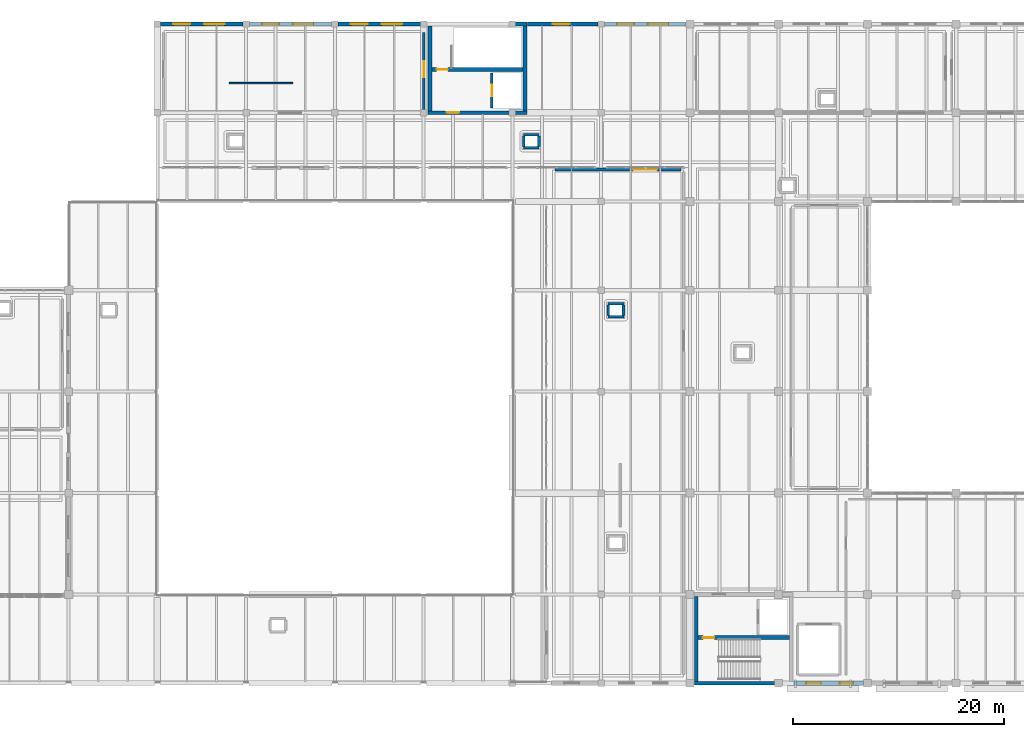
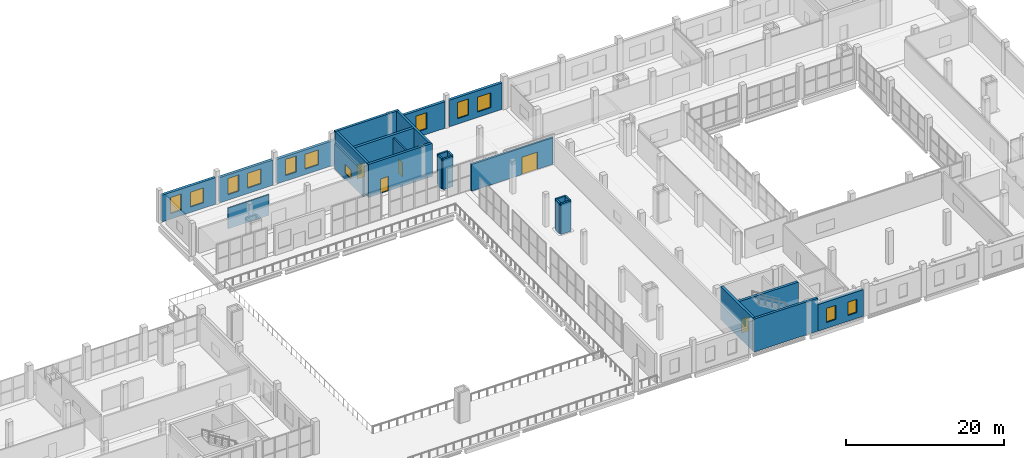
# One storey, part 61 of 77: 26 walls, 12 windows, 5 doors, 17 openings.
"""IFC4 building model written with IfcOpenShell, lengths in metres."""

from ifc_helpers import new_model, si_unit, direction, frame, frame_2d, origin, place, context, subcontext, project, spatial, rectangle, extrude, material, layer, layer_set, type_object, element, fill, save


model = new_model("IFC4")

# Units and contexts
model_context = context("Model", 3, precision=1e-05, world=origin(), true_north=direction((0.0, 1.0)))
body_context = subcontext(model_context, "Body", "Model", "MODEL_VIEW")
ifc_project = project(units=[si_unit("LENGTHUNIT", "METRE"), si_unit("AREAUNIT", "SQUARE_METRE"), si_unit("VOLUMEUNIT", "CUBIC_METRE"), si_unit("PLANEANGLEUNIT", "RADIAN"), si_unit("MASSUNIT", "GRAM", prefix="KILO")], contexts=[model_context])

# Site, building, storey
site_placement = place(None, origin())
site = spatial("IfcSite", under=ifc_project, at=site_placement, CompositionType="ELEMENT")
building_placement = place(site_placement, origin())
building = spatial("IfcBuilding", under=site, at=building_placement, Name="Zulmaris Art Gallery", CompositionType="ELEMENT")
storey_placement = place(building_placement, frame((0.0, 0.0, 15.60009765625)))
storey = spatial("IfcBuildingStorey", under=building, at=storey_placement, Name="L03", CompositionType="ELEMENT", Elevation=15.60009765625)

# Wall, openings, windows
ifc_material_1 = material(Name="Omani Cream Limestone Ashlar Masonry", Category="masonry")
ifc_layer_1 = layer(ifc_material_1, 0.43994140625)
ifc_layer_set_1 = layer_set([ifc_layer_1], Name="Omani Cream Limestone Ashlar Masonry")
wall_type_1 = type_object("IfcWallType", Name="ENV-WALL-EW01", PredefinedType="SOLIDWALL", material=ifc_layer_set_1)
wall_1_placement = place(storey_placement, frame((151.412109375, 13.199951171875, 0.0), z_axis=(0.0, 0.0, 1.0), x_axis=(1.0, 0.0, 0.0)))
wall_1 = element("IfcWall", 1, at=wall_1_placement, inside=storey, type_object=wall_type_1, Name="L03 V5 South Facade Bay 1", PredefinedType="SOLIDWALL", context=body_context, shape_type="SweptSolid", body=[
    extrude(rectangle(XDim=6.61083984375, YDim=0.43994140625, at=frame_2d((3.305419921875, 0.0))), origin(), (0.0, 0.0, 1.0), 4.10986328125),
])
opening_1_placement = place(wall_1_placement, frame((1.18798828125, 0.0, 0.89990234375)))
opening_1 = element("IfcOpeningElement", 2, at=opening_1_placement, cuts=wall_1, Name="Opening W04", PredefinedType="OPENING", context=body_context, shape_type="SweptSolid", body=[
    extrude(rectangle(XDim=1.39990234375, YDim=2.199951171875, at=frame_2d((0.699951171875, 1.10009765625))), frame((0.0, 0.22998046875, 0.0), z_axis=(0.0, -1.0, 0.0), x_axis=(1.0, 0.0, 0.0)), (0.0, 0.0, 1.0), 0.4599609375),
])
opening_2_placement = place(wall_1_placement, frame((4.387939453125, 0.0, 0.89990234375)))
opening_2 = element("IfcOpeningElement", 3, at=opening_2_placement, cuts=wall_1, Name="Opening W10", PredefinedType="OPENING", context=body_context, shape_type="SweptSolid", body=[
    extrude(rectangle(XDim=1.25, YDim=2.050048828125, at=frame_2d((0.625, 1.02490234375))), frame((0.0, 0.22998046875, 0.0), z_axis=(0.0, -1.0, 0.0), x_axis=(1.0, 0.0, 0.0)), (0.0, 0.0, 1.0), 0.4599609375),
])
ifc_material_2 = material(Name="Deep-Reveal Limestone Slot Window", Category="masonry")
window_type_1 = type_object("IfcWindowType", Name="WIN-W04", PartitioningType="SINGLE_PANEL", PredefinedType="WINDOW", material=ifc_material_2)
window_1_placement = place(opening_1_placement, origin())
window_1 = element("IfcWindow", 4, at=window_1_placement, inside=storey, type_object=window_type_1, Name="L03 exterior window W04", OverallHeight=2.199951171875, OverallWidth=1.39990234375, PartitioningType="SINGLE_PANEL", PredefinedType="WINDOW", context=body_context, shape_type="SweptSolid", body=[
    extrude(rectangle(XDim=1.39990234375, YDim=2.199951171875, at=frame_2d((0.699951171875, 1.10009765625))), frame((0.0, 0.030029296875, 0.0), z_axis=(0.0, -1.0, 0.0), x_axis=(1.0, 0.0, 0.0)), (0.0, 0.0, 1.0), 0.06005859375),
])
fill(opening_1, window_1)
ifc_material_3 = material(Name="Limestone Deep-Set Lancet Window", Category="masonry")
window_type_2 = type_object("IfcWindowType", Name="WIN-W10", PartitioningType="SINGLE_PANEL", PredefinedType="WINDOW", material=ifc_material_3)
window_2_placement = place(opening_2_placement, origin())
window_2 = element("IfcWindow", 5, at=window_2_placement, inside=storey, type_object=window_type_2, Name="L03 exterior window W10", OverallHeight=2.050048828125, OverallWidth=1.25, PartitioningType="SINGLE_PANEL", PredefinedType="WINDOW", context=body_context, shape_type="SweptSolid", body=[
    extrude(rectangle(XDim=1.25, YDim=2.050048828125, at=frame_2d((0.625, 1.02490234375))), frame((0.0, 0.030029296875, 0.0), z_axis=(0.0, -1.0, 0.0), x_axis=(1.0, 0.0, 0.0)), (0.0, 0.0, 1.0), 0.06005859375),
])
fill(opening_2, window_2)

ifc_material_4 = material(Name="Omani Desert Rose Limestone Cladding Wall", Category="masonry")
ifc_layer_2 = layer(ifc_material_4, 0.389892578125)
ifc_layer_set_2 = layer_set([ifc_layer_2], Name="Omani Desert Rose Limestone Cladding Wall")
wall_type_2 = type_object("IfcWallType", Name="ENV-WALL-EW02", PredefinedType="SOLIDWALL", material=ifc_layer_set_2)
wall_2_placement = place(storey_placement, frame((91.501953125, 75.60009765625, 0.0), z_axis=(0.0, 0.0, 1.0), x_axis=(1.0, 0.0, 0.0)))
wall_2 = element("IfcWall", 6, at=wall_2_placement, inside=storey, type_object=wall_type_2, Name="L03 V4 North Alley Limestone Facade (91.2..99.6)", PredefinedType="SOLIDWALL", context=body_context, shape_type="SweptSolid", body=[
    extrude(rectangle(XDim=7.796142578125, YDim=0.389892578125, at=frame_2d((3.89794921875, 0.0))), origin(), (0.0, 0.0, 1.0), 4.10986328125),
])
opening_3_placement = place(wall_2_placement, frame((1.218017578125, 0.0, 0.85009765625)))
opening_3 = element("IfcOpeningElement", 7, at=opening_3_placement, cuts=wall_2, Name="Opening W01", PredefinedType="OPENING", context=body_context, shape_type="SweptSolid", body=[
    extrude(rectangle(XDim=1.60009765625, YDim=2.5, at=frame_2d((0.800048828125, 1.25))), frame((0.0, 0.204833984375, 0.0), z_axis=(0.0, -1.0, 0.0), x_axis=(1.0, 0.0, 0.0)), (0.0, 0.0, 1.0), 0.409912109375),
])
opening_4_placement = place(wall_2_placement, frame((4.117919921875, 0.0, 0.85009765625)))
opening_4 = element("IfcOpeningElement", 8, at=opening_4_placement, cuts=wall_2, Name="Opening W08", PredefinedType="OPENING", context=body_context, shape_type="SweptSolid", body=[
    extrude(rectangle(XDim=1.949951171875, YDim=2.300048828125, at=frame_2d((0.97509765625, 1.14990234375))), frame((0.0, 0.204833984375, 0.0), z_axis=(0.0, -1.0, 0.0), x_axis=(1.0, 0.0, 0.0)), (0.0, 0.0, 1.0), 0.409912109375),
])
ifc_material_5 = material(Name="Double-Glazed Solar-Control Low-E Window", Category="glass")
window_type_3 = type_object("IfcWindowType", Name="WIN-W01", PartitioningType="SINGLE_PANEL", PredefinedType="WINDOW", material=ifc_material_5)
window_3_placement = place(opening_3_placement, origin())
window_3 = element("IfcWindow", 9, at=window_3_placement, inside=storey, type_object=window_type_3, Name="L03 exterior window W01", OverallHeight=2.5, OverallWidth=1.60009765625, PartitioningType="SINGLE_PANEL", PredefinedType="WINDOW", context=body_context, shape_type="SweptSolid", body=[
    extrude(rectangle(XDim=1.60009765625, YDim=2.5, at=frame_2d((0.800048828125, 1.25))), frame((0.0, 0.030029296875, 0.0), z_axis=(0.0, -1.0, 0.0), x_axis=(1.0, 0.0, 0.0)), (0.0, 0.0, 1.0), 0.06005859375),
])
fill(opening_3, window_3)
ifc_material_6 = material(Name="Curatorial North Studio Window", Category="glass")
window_type_4 = type_object("IfcWindowType", Name="WIN-W08", PartitioningType="SINGLE_PANEL", PredefinedType="WINDOW", material=ifc_material_6)
window_4_placement = place(opening_4_placement, origin())
window_4 = element("IfcWindow", 10, at=window_4_placement, inside=storey, type_object=window_type_4, Name="L03 exterior window W08", OverallHeight=2.300048828125, OverallWidth=1.949951171875, PartitioningType="SINGLE_PANEL", PredefinedType="WINDOW", context=body_context, shape_type="SweptSolid", body=[
    extrude(rectangle(XDim=1.949951171875, YDim=2.300048828125, at=frame_2d((0.97509765625, 1.14990234375))), frame((0.0, 0.030029296875, 0.0), z_axis=(0.0, -1.0, 0.0), x_axis=(1.0, 0.0, 0.0)), (0.0, 0.0, 1.0), 0.06005859375),
])
fill(opening_4, window_4)

wall_3_placement = place(storey_placement, frame((99.902099609375, 75.60009765625, 0.0), z_axis=(0.0, 0.0, 1.0), x_axis=(1.0, 0.0, 0.0)))
wall_3 = element("IfcWall", 11, at=wall_3_placement, inside=storey, type_object=wall_type_2, Name="L03 V4 North Alley Limestone Facade (99.6..108.0)", PredefinedType="SOLIDWALL", context=body_context, shape_type="SweptSolid", body=[
    extrude(rectangle(XDim=7.7958984375, YDim=0.389892578125, at=frame_2d((3.89794921875, 0.0))), origin(), (0.0, 0.0, 1.0), 3.909912109375),
])
opening_5_placement = place(wall_3_placement, frame((1.218017578125, 0.0, 0.85009765625)))
opening_5 = element("IfcOpeningElement", 12, at=opening_5_placement, cuts=wall_3, Name="Opening W01", PredefinedType="OPENING", context=body_context, shape_type="SweptSolid", body=[
    extrude(rectangle(XDim=1.60009765625, YDim=2.5, at=frame_2d((0.800048828125, 1.25))), frame((0.0, 0.204833984375, 0.0), z_axis=(0.0, -1.0, 0.0), x_axis=(1.0, 0.0, 0.0)), (0.0, 0.0, 1.0), 0.409912109375),
])
opening_6_placement = place(wall_3_placement, frame((4.117919921875, 0.0, 0.85009765625)))
opening_6 = element("IfcOpeningElement", 13, at=opening_6_placement, cuts=wall_3, Name="Opening W08", PredefinedType="OPENING", context=body_context, shape_type="SweptSolid", body=[
    extrude(rectangle(XDim=1.949951171875, YDim=2.300048828125, at=frame_2d((0.97509765625, 1.14990234375))), frame((0.0, 0.204833984375, 0.0), z_axis=(0.0, -1.0, 0.0), x_axis=(1.0, 0.0, 0.0)), (0.0, 0.0, 1.0), 0.409912109375),
])
window_5_placement = place(opening_5_placement, origin())
window_5 = element("IfcWindow", 14, at=window_5_placement, inside=storey, type_object=window_type_3, Name="L03 exterior window W01", OverallHeight=2.5, OverallWidth=1.60009765625, PartitioningType="SINGLE_PANEL", PredefinedType="WINDOW", context=body_context, shape_type="SweptSolid", body=[
    extrude(rectangle(XDim=1.60009765625, YDim=2.5, at=frame_2d((0.800048828125, 1.25))), frame((0.0, 0.030029296875, 0.0), z_axis=(0.0, -1.0, 0.0), x_axis=(1.0, 0.0, 0.0)), (0.0, 0.0, 1.0), 0.06005859375),
])
fill(opening_5, window_5)
window_6_placement = place(opening_6_placement, origin())
window_6 = element("IfcWindow", 15, at=window_6_placement, inside=storey, type_object=window_type_4, Name="L03 exterior window W08", OverallHeight=2.300048828125, OverallWidth=1.949951171875, PartitioningType="SINGLE_PANEL", PredefinedType="WINDOW", context=body_context, shape_type="SweptSolid", body=[
    extrude(rectangle(XDim=1.949951171875, YDim=2.300048828125, at=frame_2d((0.97509765625, 1.14990234375))), frame((0.0, 0.030029296875, 0.0), z_axis=(0.0, -1.0, 0.0), x_axis=(1.0, 0.0, 0.0)), (0.0, 0.0, 1.0), 0.06005859375),
])
fill(opening_6, window_6)

wall_4_placement = place(storey_placement, frame((108.302001953125, 75.60009765625, 0.0), z_axis=(0.0, 0.0, 1.0), x_axis=(1.0, 0.0, 0.0)))
wall_4 = element("IfcWall", 16, at=wall_4_placement, inside=storey, type_object=wall_type_2, Name="L03 V4 North Alley Limestone Facade (108.0..116.8)", PredefinedType="SOLIDWALL", context=body_context, shape_type="SweptSolid", body=[
    extrude(rectangle(XDim=8.486083984375, YDim=0.389892578125, at=frame_2d((4.2431640625, 0.0))), origin(), (0.0, 0.0, 1.0), 3.809814453125),
])
opening_7_placement = place(wall_4_placement, frame((1.218017578125, 0.0, 0.85009765625)))
opening_7 = element("IfcOpeningElement", 17, at=opening_7_placement, cuts=wall_4, Name="Opening W01", PredefinedType="OPENING", context=body_context, shape_type="SweptSolid", body=[
    extrude(rectangle(XDim=1.60009765625, YDim=2.5, at=frame_2d((0.800048828125, 1.25))), frame((0.0, 0.204833984375, 0.0), z_axis=(0.0, -1.0, 0.0), x_axis=(1.0, 0.0, 0.0)), (0.0, 0.0, 1.0), 0.409912109375),
])
opening_8_placement = place(wall_4_placement, frame((4.117919921875, 0.0, 0.85009765625)))
opening_8 = element("IfcOpeningElement", 18, at=opening_8_placement, cuts=wall_4, Name="Opening W08", PredefinedType="OPENING", context=body_context, shape_type="SweptSolid", body=[
    extrude(rectangle(XDim=1.949951171875, YDim=2.300048828125, at=frame_2d((0.97509765625, 1.14990234375))), frame((0.0, 0.204833984375, 0.0), z_axis=(0.0, -1.0, 0.0), x_axis=(1.0, 0.0, 0.0)), (0.0, 0.0, 1.0), 0.409912109375),
])
window_7_placement = place(opening_7_placement, origin())
window_7 = element("IfcWindow", 19, at=window_7_placement, inside=storey, type_object=window_type_3, Name="L03 exterior window W01", OverallHeight=2.5, OverallWidth=1.60009765625, PartitioningType="SINGLE_PANEL", PredefinedType="WINDOW", context=body_context, shape_type="SweptSolid", body=[
    extrude(rectangle(XDim=1.60009765625, YDim=2.5, at=frame_2d((0.800048828125, 1.25))), frame((0.0, 0.030029296875, 0.0), z_axis=(0.0, -1.0, 0.0), x_axis=(1.0, 0.0, 0.0)), (0.0, 0.0, 1.0), 0.06005859375),
])
fill(opening_7, window_7)
window_8_placement = place(opening_8_placement, origin())
window_8 = element("IfcWindow", 20, at=window_8_placement, inside=storey, type_object=window_type_4, Name="L03 exterior window W08", OverallHeight=2.300048828125, OverallWidth=1.949951171875, PartitioningType="SINGLE_PANEL", PredefinedType="WINDOW", context=body_context, shape_type="SweptSolid", body=[
    extrude(rectangle(XDim=1.949951171875, YDim=2.300048828125, at=frame_2d((0.97509765625, 1.14990234375))), frame((0.0, 0.030029296875, 0.0), z_axis=(0.0, -1.0, 0.0), x_axis=(1.0, 0.0, 0.0)), (0.0, 0.0, 1.0), 0.06005859375),
])
fill(opening_8, window_8)

# Wall, opening, window
wall_5_placement = place(storey_placement, frame((126.2119140625, 75.60009765625, 0.0), z_axis=(0.0, 0.0, 1.0), x_axis=(1.0, 0.0, 0.0)))
wall_5 = element("IfcWall", 21, at=wall_5_placement, inside=storey, type_object=wall_type_2, Name="L03 V4 North Alley Limestone Facade (126.0..133.2)", PredefinedType="SOLIDWALL", context=body_context, shape_type="SweptSolid", body=[
    extrude(rectangle(XDim=6.68603515625, YDim=0.389892578125, at=frame_2d((3.343017578125, 0.0))), origin(), (0.0, 0.0, 1.0), 4.119873046875),
])
opening_9_placement = place(wall_5_placement, frame((2.407958984375, 0.0, 0.85009765625)))
opening_9 = element("IfcOpeningElement", 22, at=opening_9_placement, cuts=wall_5, Name="Opening W01", PredefinedType="OPENING", context=body_context, shape_type="SweptSolid", body=[
    extrude(rectangle(XDim=1.60009765625, YDim=2.5, at=frame_2d((0.800048828125, 1.25))), frame((0.0, 0.204833984375, 0.0), z_axis=(0.0, -1.0, 0.0), x_axis=(1.0, 0.0, 0.0)), (0.0, 0.0, 1.0), 0.409912109375),
])
window_9_placement = place(opening_9_placement, origin())
window_9 = element("IfcWindow", 23, at=window_9_placement, inside=storey, type_object=window_type_3, Name="L03 exterior window W01", OverallHeight=2.5, OverallWidth=1.60009765625, PartitioningType="SINGLE_PANEL", PredefinedType="WINDOW", context=body_context, shape_type="SweptSolid", body=[
    extrude(rectangle(XDim=1.60009765625, YDim=2.5, at=frame_2d((0.800048828125, 1.25))), frame((0.0, 0.030029296875, 0.0), z_axis=(0.0, -1.0, 0.0), x_axis=(1.0, 0.0, 0.0)), (0.0, 0.0, 1.0), 0.06005859375),
])
fill(opening_9, window_9)

# Wall, openings, windows
wall_6_placement = place(storey_placement, frame((133.501953125, 75.60009765625, 0.0), z_axis=(0.0, 0.0, 1.0), x_axis=(1.0, 0.0, 0.0)))
wall_6 = element("IfcWall", 24, at=wall_6_placement, inside=storey, type_object=wall_type_2, Name="L03 V4 North Alley Limestone Facade (133.2..141.6)", PredefinedType="SOLIDWALL", context=body_context, shape_type="SweptSolid", body=[
    extrude(rectangle(XDim=7.720947265625, YDim=0.389892578125, at=frame_2d((3.8603515625, 0.0))), origin(), (0.0, 0.0, 1.0), 4.10986328125),
])
opening_10_placement = place(wall_6_placement, frame((1.218017578125, 0.0, 0.85009765625)))
opening_10 = element("IfcOpeningElement", 25, at=opening_10_placement, cuts=wall_6, Name="Opening W01", PredefinedType="OPENING", context=body_context, shape_type="SweptSolid", body=[
    extrude(rectangle(XDim=1.60009765625, YDim=2.5, at=frame_2d((0.800048828125, 1.25))), frame((0.0, 0.204833984375, 0.0), z_axis=(0.0, -1.0, 0.0), x_axis=(1.0, 0.0, 0.0)), (0.0, 0.0, 1.0), 0.409912109375),
])
opening_11_placement = place(wall_6_placement, frame((4.117919921875, 0.0, 0.85009765625)))
opening_11 = element("IfcOpeningElement", 26, at=opening_11_placement, cuts=wall_6, Name="Opening W08", PredefinedType="OPENING", context=body_context, shape_type="SweptSolid", body=[
    extrude(rectangle(XDim=1.949951171875, YDim=2.300048828125, at=frame_2d((0.97509765625, 1.14990234375))), frame((0.0, 0.204833984375, 0.0), z_axis=(0.0, -1.0, 0.0), x_axis=(1.0, 0.0, 0.0)), (0.0, 0.0, 1.0), 0.409912109375),
])
window_10_placement = place(opening_10_placement, origin())
window_10 = element("IfcWindow", 27, at=window_10_placement, inside=storey, type_object=window_type_3, Name="L03 exterior window W01", OverallHeight=2.5, OverallWidth=1.60009765625, PartitioningType="SINGLE_PANEL", PredefinedType="WINDOW", context=body_context, shape_type="SweptSolid", body=[
    extrude(rectangle(XDim=1.60009765625, YDim=2.5, at=frame_2d((0.800048828125, 1.25))), frame((0.0, 0.030029296875, 0.0), z_axis=(0.0, -1.0, 0.0), x_axis=(1.0, 0.0, 0.0)), (0.0, 0.0, 1.0), 0.06005859375),
])
fill(opening_10, window_10)
window_11_placement = place(opening_11_placement, origin())
window_11 = element("IfcWindow", 28, at=window_11_placement, inside=storey, type_object=window_type_4, Name="L03 exterior window W08", OverallHeight=2.300048828125, OverallWidth=1.949951171875, PartitioningType="SINGLE_PANEL", PredefinedType="WINDOW", context=body_context, shape_type="SweptSolid", body=[
    extrude(rectangle(XDim=1.949951171875, YDim=2.300048828125, at=frame_2d((0.97509765625, 1.14990234375))), frame((0.0, 0.030029296875, 0.0), z_axis=(0.0, -1.0, 0.0), x_axis=(1.0, 0.0, 0.0)), (0.0, 0.0, 1.0), 0.06005859375),
])
fill(opening_11, window_11)

# Wall
ifc_material_7 = material(Name="Demountable Timber-Clad Exhibition Wall A", Category="wood")
ifc_layer_3 = layer(ifc_material_7, 0.152099609375)
ifc_layer_set_3 = layer_set([ifc_layer_3], Name="Demountable Timber-Clad Exhibition Wall A")
wall_type_3 = type_object("IfcWallType", Name="IWALL-MW01", PredefinedType="MOVABLE", material=ifc_layer_set_3)
wall_7_placement = place(storey_placement, frame((98.0, 70.0, 0.0), z_axis=(0.0, 0.0, 1.0), x_axis=(1.0, 0.0, 0.0)))
element("IfcWall", 29, at=wall_7_placement, inside=storey, type_object=wall_type_3, Name="L03 Movable Gallery Display Wall 17", PredefinedType="MOVABLE", context=body_context, shape_type="SweptSolid", body=[
    extrude(rectangle(XDim=6.0, YDim=0.152099609375, at=frame_2d((3.0, 0.0))), origin(), (0.0, 0.0, 1.0), 3.199951171875),
])

# Wall, opening, window
ifc_material_8 = material(Name="Hygrometric Art Store Buffer Wall", Category="masonry")
ifc_layer_4 = layer(ifc_material_8, 0.219970703125)
ifc_layer_set_4 = layer_set([ifc_layer_4], Name="Hygrometric Art Store Buffer Wall")
wall_type_4 = type_object("IfcWallType", Name="IWALL-PW09", PredefinedType="PARTITIONING", material=ifc_layer_set_4)
wall_8_placement = place(storey_placement, frame((116.419921875, 67.429931640625, 0.0), z_axis=(0.0, 0.0, 1.0), x_axis=(0.0, 1.0, 0.0)))
wall_8 = element("IfcWall", 30, at=wall_8_placement, inside=storey, type_object=wall_type_4, Name="Setback Terrace Pavilion Gallery North E partition", PredefinedType="PARTITIONING", context=body_context, shape_type="SweptSolid", body=[
    extrude(rectangle(XDim=7.340087890625, YDim=0.219970703125, at=frame_2d((3.669921875, 0.0))), origin(), (0.0, 0.0, 1.0), 3.809814453125),
])
opening_12_placement = place(wall_8_placement, frame((3.14990234375, 0.0, 0.89990234375)))
opening_12 = element("IfcOpeningElement", 31, at=opening_12_placement, cuts=wall_8, Name="Opening IW01", PredefinedType="OPENING", context=body_context, shape_type="SweptSolid", body=[
    extrude(rectangle(XDim=1.47998046875, YDim=1.35009765625, at=frame_2d((0.739990234375, 0.675048828125))), frame((0.0, 0.119873046875, 0.0), z_axis=(0.0, -1.0, 0.0), x_axis=(1.0, 0.0, 0.0)), (0.0, 0.0, 1.0), 0.239990234375),
])
ifc_material_9 = material(Name="Conservation Studio Viewing Window", Category="glass")
window_type_5 = type_object("IfcWindowType", Name="IWIN-IW01", PartitioningType="SINGLE_PANEL", PredefinedType="WINDOW", material=ifc_material_9)
window_12_placement = place(opening_12_placement, origin())
window_12 = element("IfcWindow", 32, at=window_12_placement, inside=storey, type_object=window_type_5, Name="L03 interior observation window IW01", OverallHeight=1.35009765625, OverallWidth=1.47998046875, PartitioningType="SINGLE_PANEL", PredefinedType="WINDOW", context=body_context, shape_type="SweptSolid", body=[
    extrude(rectangle(XDim=1.47998046875, YDim=1.35009765625, at=frame_2d((0.739990234375, 0.675048828125))), frame((0.0, 0.030029296875, 0.0), z_axis=(0.0, -1.0, 0.0), x_axis=(1.0, 0.0, 0.0)), (0.0, 0.0, 1.0), 0.06005859375),
])
fill(opening_12, window_12)

# Wall, opening, door
ifc_material_10 = material(Name="Core Lobby Fire-Resisting Masonry Wall", Category="masonry")
ifc_layer_5 = layer(ifc_material_10, 0.235107421875)
ifc_layer_set_5 = layer_set([ifc_layer_5], Name="Core Lobby Fire-Resisting Masonry Wall")
wall_type_5 = type_object("IfcWallType", Name="IWALL-PW10", PredefinedType="PARTITIONING", material=ifc_layer_set_5)
wall_9_placement = place(storey_placement, frame((122.85009765625, 67.64990234375, 0.0), z_axis=(0.0, 0.0, 1.0), x_axis=(0.0, 1.0, 0.0)))
wall_9 = element("IfcWall", 33, at=wall_9_placement, inside=storey, type_object=wall_type_5, Name="LF-P3 L03 lift shaft front wall", PredefinedType="PARTITIONING", context=body_context, shape_type="SweptSolid", body=[
    extrude(rectangle(XDim=3.330078125, YDim=0.235107421875, at=frame_2d((1.6650390625, 0.0))), origin(), (0.0, 0.0, 1.0), 4.719970703125),
])
opening_13_placement = place(wall_9_placement, frame((1.114990234375, 0.0, 0.0)))
opening_13 = element("IfcOpeningElement", 34, at=opening_13_placement, cuts=wall_9, Name="Opening LD01", PredefinedType="OPENING", context=body_context, shape_type="SweptSolid", body=[
    extrude(rectangle(XDim=1.10009765625, YDim=2.199951171875, at=frame_2d((0.550048828125, 1.10009765625))), frame((0.0, 0.12744140625, 0.0), z_axis=(0.0, -1.0, 0.0), x_axis=(1.0, 0.0, 0.0)), (0.0, 0.0, 1.0), 0.255126953125),
])
ifc_material_11 = material(Name="Passenger Lift Sliding Landing Door", Category="steel")
door_type_1 = type_object("IfcDoorType", Name="IDOOR-LD01", OperationType="SLIDING_TO_LEFT", PredefinedType="DOOR", material=ifc_material_11)
door_1_placement = place(opening_13_placement, origin())
door_1 = element("IfcDoor", 35, at=door_1_placement, inside=storey, type_object=door_type_1, Name="LF-P3 L03 Lift Landing Sliding Door", OperationType="SLIDING_TO_LEFT", OverallHeight=2.199951171875, OverallWidth=1.10009765625, PredefinedType="DOOR", context=body_context, shape_type="SweptSolid", body=[
    extrude(rectangle(XDim=1.10009765625, YDim=2.199951171875, at=frame_2d((0.550048828125, 1.10009765625))), frame((0.0, 0.02490234375, 0.0), z_axis=(0.0, -1.0, 0.0), x_axis=(1.0, 0.0, 0.0)), (0.0, 0.0, 1.0), 0.050048828125),
])
fill(opening_13, door_1)

# Walls
ifc_material_12 = material(Name="MEP Riser & Smoke Shaft Enclosure Wall", Category="masonry")
ifc_layer_6 = layer(ifc_material_12, 0.2548828125)
ifc_layer_set_6 = layer_set([ifc_layer_6], Name="MEP Riser & Smoke Shaft Enclosure Wall")
wall_type_6 = type_object("IfcWallType", Name="IWALL-PW11", PredefinedType="PARTITIONING", material=ifc_layer_set_6)
for number, where, z_axis, x_axis, name in (
    (36, (125.860107421875, 65.1201171875, 0.0), (0.0, 0.0, 1.0), (1.0, 0.0, 0.0), "L03 MEP Riser 10 N wall"),
    (37, (125.860107421875, 63.8798828125, 0.0), (0.0, 0.0, 1.0), (1.0, 0.0, 0.0), "L03 MEP Riser 10 S wall"),
):
    element("IfcWall", number, at=place(storey_placement, frame(where, z_axis=z_axis, x_axis=x_axis)), inside=storey, type_object=wall_type_6, Name=name, PredefinedType="PARTITIONING", context=body_context, shape_type="SweptSolid", body=[
        extrude(rectangle(XDim=1.47998046875, YDim=0.2548828125, at=frame_2d((0.739990234375, 0.0))), origin(), (0.0, 0.0, 1.0), 4.719970703125),
    ])
for number, where, z_axis, x_axis, name in (
    (38, (125.8798828125, 64.0, 0.0), (0.0, 0.0, 1.0), (0.0, 1.0, 0.0), "L03 MEP Riser 10 W wall"),
    (39, (127.320068359375, 64.0, 0.0), (0.0, 0.0, 1.0), (0.0, 1.0, 0.0), "L03 MEP Riser 10 E wall"),
):
    element("IfcWall", number, at=place(storey_placement, frame(where, z_axis=z_axis, x_axis=x_axis)), inside=storey, type_object=wall_type_6, Name=name, PredefinedType="PARTITIONING", context=body_context, shape_type="SweptSolid", body=[
        extrude(rectangle(XDim=1.0, YDim=0.2548828125, at=frame_2d((0.5, 0.0))), origin(), (0.0, 0.0, 1.0), 4.719970703125),
    ])
for number, where, z_axis, x_axis, name in (
    (40, (133.860107421875, 49.1201171875, 0.0), (0.0, 0.0, 1.0), (1.0, 0.0, 0.0), "L03 MEP Riser 12 N wall"),
    (41, (133.860107421875, 47.8798828125, 0.0), (0.0, 0.0, 1.0), (1.0, 0.0, 0.0), "L03 MEP Riser 12 S wall"),
):
    element("IfcWall", number, at=place(storey_placement, frame(where, z_axis=z_axis, x_axis=x_axis)), inside=storey, type_object=wall_type_6, Name=name, PredefinedType="PARTITIONING", context=body_context, shape_type="SweptSolid", body=[
        extrude(rectangle(XDim=1.47998046875, YDim=0.2548828125, at=frame_2d((0.739990234375, 0.0))), origin(), (0.0, 0.0, 1.0), 4.719970703125),
    ])
for number, where, z_axis, x_axis, name in (
    (42, (133.8798828125, 48.0, 0.0), (0.0, 0.0, 1.0), (0.0, 1.0, 0.0), "L03 MEP Riser 12 W wall"),
    (43, (135.320068359375, 48.0, 0.0), (0.0, 0.0, 1.0), (0.0, 1.0, 0.0), "L03 MEP Riser 12 E wall"),
):
    element("IfcWall", number, at=place(storey_placement, frame(where, z_axis=z_axis, x_axis=x_axis)), inside=storey, type_object=wall_type_6, Name=name, PredefinedType="PARTITIONING", context=body_context, shape_type="SweptSolid", body=[
        extrude(rectangle(XDim=1.0, YDim=0.2548828125, at=frame_2d((0.5, 0.0))), origin(), (0.0, 0.0, 1.0), 4.719970703125),
    ])

# Wall, opening, door
ifc_material_13 = material(Name="Plant & Substation Acoustic Blockwork Wall", Category="masonry")
ifc_layer_7 = layer(ifc_material_13, 0.27001953125)
ifc_layer_set_7 = layer_set([ifc_layer_7], Name="Plant & Substation Acoustic Blockwork Wall")
wall_type_7 = type_object("IfcWallType", Name="IWALL-PW12", PredefinedType="PARTITIONING", material=ifc_layer_set_7)
wall_10_placement = place(storey_placement, frame((128.830078125, 61.820068359375, 0.0), z_axis=(0.0, 0.0, 1.0), x_axis=(1.0, 0.0, 0.0)))
wall_10 = element("IfcWall", 44, at=wall_10_placement, inside=storey, type_object=wall_type_7, Name="Setback Terrace Pavilion Gallery East N partition", PredefinedType="PARTITIONING", context=body_context, shape_type="SweptSolid", body=[
    extrude(rectangle(XDim=11.93994140625, YDim=0.27001953125, at=frame_2d((5.969970703125, 0.0))), origin(), (0.0, 0.0, 1.0), 4.119873046875),
])
opening_14_placement = place(wall_10_placement, frame((7.39990234375, 0.0, 0.0)))
opening_14 = element("IfcOpeningElement", 45, at=opening_14_placement, cuts=wall_10, Name="Opening D27", PredefinedType="OPENING", context=body_context, shape_type="SweptSolid", body=[
    extrude(rectangle(XDim=2.260009765625, YDim=2.679931640625, at=frame_2d((1.1298828125, 1.33984375))), frame((0.0, 0.14501953125, 0.0), z_axis=(0.0, -1.0, 0.0), x_axis=(1.0, 0.0, 0.0)), (0.0, 0.0, 1.0), 0.2900390625),
])
ifc_material_14 = material(Name="Belvedere Gallery Double Portal", Category="aluminium")
door_type_2 = type_object("IfcDoorType", Name="IDOOR-D27", OperationType="DOUBLE_SWING_LEFT", PredefinedType="DOOR", material=ifc_material_14)
door_2_placement = place(opening_14_placement, origin())
door_2 = element("IfcDoor", 46, at=door_2_placement, inside=storey, type_object=door_type_2, Name="Setback Terrace Pavilion Gallery East Door", OperationType="DOUBLE_SWING_LEFT", OverallHeight=2.679931640625, OverallWidth=2.260009765625, PredefinedType="DOOR", context=body_context, shape_type="SweptSolid", body=[
    extrude(rectangle(XDim=2.260009765625, YDim=2.679931640625, at=frame_2d((1.1298828125, 1.33984375))), frame((0.0, 0.02490234375, 0.0), z_axis=(0.0, -1.0, 0.0), x_axis=(1.0, 0.0, 0.0)), (0.0, 0.0, 1.0), 0.050048828125),
])
fill(opening_14, door_2)

# Walls
ifc_material_15 = material(Name="Concrete C50/60", Category="concrete")
ifc_layer_8 = layer(ifc_material_15, 0.35009765625)
ifc_layer_set_8 = layer_set([ifc_layer_8], Name="Concrete C50/60")
wall_type_8 = type_object("IfcWallType", Name="STR-WALL-SW01", PredefinedType="SHEAR", material=ifc_layer_set_8)
wall_11_placement = place(storey_placement, frame((151.375, 13.199951171875, 0.0), z_axis=(0.0, 0.0, 1.0), x_axis=(-1.0, 0.0, 0.0)))
element("IfcWall", 47, at=wall_11_placement, inside=storey, type_object=wall_type_8, Name="Core C3 L03 S shear wall", PredefinedType="SHEAR", context=body_context, shape_type="SweptSolid", body=[
    extrude(rectangle(XDim=9.35009765625, YDim=0.35009765625, at=frame_2d((4.675048828125, 0.0))), origin(), (0.0, 0.0, 1.0), 5.099853515625),
])
wall_12_placement = place(storey_placement, frame((142.199951171875, 13.375, 0.0), z_axis=(0.0, 0.0, 1.0), x_axis=(0.0, 1.0, 0.0)))
element("IfcWall", 48, at=wall_12_placement, inside=storey, type_object=wall_type_8, Name="Core C3 L03 W shear wall", PredefinedType="SHEAR", context=body_context, shape_type="SweptSolid", body=[
    extrude(rectangle(XDim=8.050048828125, YDim=0.35009765625, at=frame_2d((4.02490234375, 0.0))), origin(), (0.0, 0.0, 1.0), 5.099853515625),
])

# Wall, opening, door
wall_13_placement = place(storey_placement, frame((116.824951171875, 67.199951171875, 0.0), z_axis=(0.0, 0.0, 1.0), x_axis=(1.0, 0.0, 0.0)))
wall_13 = element("IfcWall", 49, at=wall_13_placement, inside=storey, type_object=wall_type_8, Name="Core C5 L03 S shear wall", PredefinedType="SHEAR", context=body_context, shape_type="SweptSolid", body=[
    extrude(rectangle(XDim=9.35009765625, YDim=0.35009765625, at=frame_2d((4.675048828125, 0.0))), origin(), (0.0, 0.0, 1.0), 5.099853515625),
])
opening_15_placement = place(wall_13_placement, frame((1.75, 0.0, 0.0)))
opening_15 = element("IfcOpeningElement", 50, at=opening_15_placement, cuts=wall_13, Name="Opening D08", PredefinedType="OPENING", context=body_context, shape_type="SweptSolid", body=[
    extrude(rectangle(XDim=1.179931640625, YDim=2.239990234375, at=frame_2d((0.58984375, 1.1201171875))), frame((0.0, 0.18505859375, 0.0), z_axis=(0.0, -1.0, 0.0), x_axis=(1.0, 0.0, 0.0)), (0.0, 0.0, 1.0), 0.3701171875),
])
ifc_material_16 = material(Name="Firefighting Lobby Compartment Door", Category="steel")
door_type_3 = type_object("IfcDoorType", Name="IDOOR-D08", OperationType="NOTDEFINED", PredefinedType="DOOR", material=ifc_material_16)
door_3_placement = place(opening_15_placement, origin())
door_3 = element("IfcDoor", 51, at=door_3_placement, inside=storey, type_object=door_type_3, Name="Core C5 L03 Lobby Compartment Door", OperationType="SINGLE_SWING_RIGHT", OverallHeight=2.239990234375, OverallWidth=1.179931640625, PredefinedType="DOOR", context=body_context, shape_type="SweptSolid", body=[
    extrude(rectangle(XDim=1.179931640625, YDim=2.239990234375, at=frame_2d((0.58984375, 1.1201171875))), frame((0.0, 0.02490234375, 0.0), z_axis=(0.0, -1.0, 0.0), x_axis=(1.0, 0.0, 0.0)), (0.0, 0.0, 1.0), 0.050048828125),
])
fill(opening_15, door_3)

# Walls
wall_14_placement = place(storey_placement, frame((116.824951171875, 75.60009765625, 0.0), z_axis=(0.0, 0.0, 1.0), x_axis=(1.0, 0.0, 0.0)))
element("IfcWall", 52, at=wall_14_placement, inside=storey, type_object=wall_type_8, Name="Core C5 L03 N shear wall", PredefinedType="SHEAR", context=body_context, shape_type="SweptSolid", body=[
    extrude(rectangle(XDim=9.35009765625, YDim=0.35009765625, at=frame_2d((4.675048828125, 0.0))), origin(), (0.0, 0.0, 1.0), 5.099853515625),
])
for number, where, z_axis, x_axis, name in (
    (53, (117.0, 67.375, 0.0), (0.0, 0.0, 1.0), (0.0, 1.0, 0.0), "Core C5 L03 W shear wall"),
    (54, (126.0, 67.375, 0.0), (0.0, 0.0, 1.0), (0.0, 1.0, 0.0), "Core C5 L03 E shear wall"),
):
    element("IfcWall", number, at=place(storey_placement, frame(where, z_axis=z_axis, x_axis=x_axis)), inside=storey, type_object=wall_type_8, Name=name, PredefinedType="SHEAR", context=body_context, shape_type="SweptSolid", body=[
        extrude(rectangle(XDim=8.050048828125, YDim=0.35009765625, at=frame_2d((4.02490234375, 0.0))), origin(), (0.0, 0.0, 1.0), 5.099853515625),
    ])

# Wall, opening, door
ifc_layer_9 = layer(ifc_material_15, 0.3798828125)
ifc_layer_set_9 = layer_set([ifc_layer_9], Name="Concrete C50/60")
wall_type_9 = type_object("IfcWallType", Name="STR-WALL-SW02", PredefinedType="SHEAR", material=ifc_layer_set_9)
wall_15_placement = place(storey_placement, frame((142.375, 17.510009765625, 0.0), z_axis=(0.0, 0.0, 1.0), x_axis=(1.0, 0.0, 0.0)))
wall_15 = element("IfcWall", 55, at=wall_15_placement, inside=storey, type_object=wall_type_9, Name="Core C3 L03 DIV shear wall", PredefinedType="SHEAR", context=body_context, shape_type="SweptSolid", body=[
    extrude(rectangle(XDim=8.64990234375, YDim=0.3798828125, at=frame_2d((4.324951171875, 0.0))), origin(), (0.0, 0.0, 1.0), 5.099853515625),
])
opening_16_placement = place(wall_15_placement, frame((0.449951171875, 0.0, 0.0)))
opening_16 = element("IfcOpeningElement", 56, at=opening_16_placement, cuts=wall_15, Name="Opening D07", PredefinedType="OPENING", context=body_context, shape_type="SweptSolid", body=[
    extrude(rectangle(XDim=1.080078125, YDim=2.179931640625, at=frame_2d((0.5400390625, 1.08984375))), frame((0.0, 0.199951171875, 0.0), z_axis=(0.0, -1.0, 0.0), x_axis=(1.0, 0.0, 0.0)), (0.0, 0.0, 1.0), 0.39990234375),
])
ifc_material_17 = material(Name="Stairwell Fire Escape Door", Category="steel")
door_type_4 = type_object("IfcDoorType", Name="IDOOR-D07", OperationType="NOTDEFINED", PredefinedType="DOOR", material=ifc_material_17)
door_4_placement = place(opening_16_placement, origin())
door_4 = element("IfcDoor", 57, at=door_4_placement, inside=storey, type_object=door_type_4, Name="Core C3 L03 Stair ST3 Fire Door", OperationType="SINGLE_SWING_LEFT", OverallHeight=2.179931640625, OverallWidth=1.080078125, PredefinedType="DOOR", context=body_context, shape_type="SweptSolid", body=[
    extrude(rectangle(XDim=1.080078125, YDim=2.179931640625, at=frame_2d((0.5400390625, 1.08984375))), frame((0.0, 0.02490234375, 0.0), z_axis=(0.0, -1.0, 0.0), x_axis=(1.0, 0.0, 0.0)), (0.0, 0.0, 1.0), 0.050048828125),
])
fill(opening_16, door_4)

wall_16_placement = place(storey_placement, frame((117.175048828125, 71.2900390625, 0.0), z_axis=(0.0, 0.0, 1.0), x_axis=(1.0, 0.0, 0.0)))
wall_16 = element("IfcWall", 58, at=wall_16_placement, inside=storey, type_object=wall_type_9, Name="Core C5 L03 DIV shear wall", PredefinedType="SHEAR", context=body_context, shape_type="SweptSolid", body=[
    extrude(rectangle(XDim=8.64990234375, YDim=0.3798828125, at=frame_2d((4.324951171875, 0.0))), origin(), (0.0, 0.0, 1.0), 5.099853515625),
])
opening_17_placement = place(wall_16_placement, frame((0.449951171875, 0.0, 0.0)))
opening_17 = element("IfcOpeningElement", 59, at=opening_17_placement, cuts=wall_16, Name="Opening D07", PredefinedType="OPENING", context=body_context, shape_type="SweptSolid", body=[
    extrude(rectangle(XDim=1.080078125, YDim=2.179931640625, at=frame_2d((0.5400390625, 1.08984375))), frame((0.0, 0.199951171875, 0.0), z_axis=(0.0, -1.0, 0.0), x_axis=(1.0, 0.0, 0.0)), (0.0, 0.0, 1.0), 0.39990234375),
])
door_5_placement = place(opening_17_placement, origin())
door_5 = element("IfcDoor", 60, at=door_5_placement, inside=storey, type_object=door_type_4, Name="Core C5 L03 Stair ST5 Fire Door", OperationType="SINGLE_SWING_LEFT", OverallHeight=2.179931640625, OverallWidth=1.080078125, PredefinedType="DOOR", context=body_context, shape_type="SweptSolid", body=[
    extrude(rectangle(XDim=1.080078125, YDim=2.179931640625, at=frame_2d((0.5400390625, 1.08984375))), frame((0.0, 0.02490234375, 0.0), z_axis=(0.0, -1.0, 0.0), x_axis=(1.0, 0.0, 0.0)), (0.0, 0.0, 1.0), 0.050048828125),
])
fill(opening_17, door_5)

save(model, "model.ifc")
